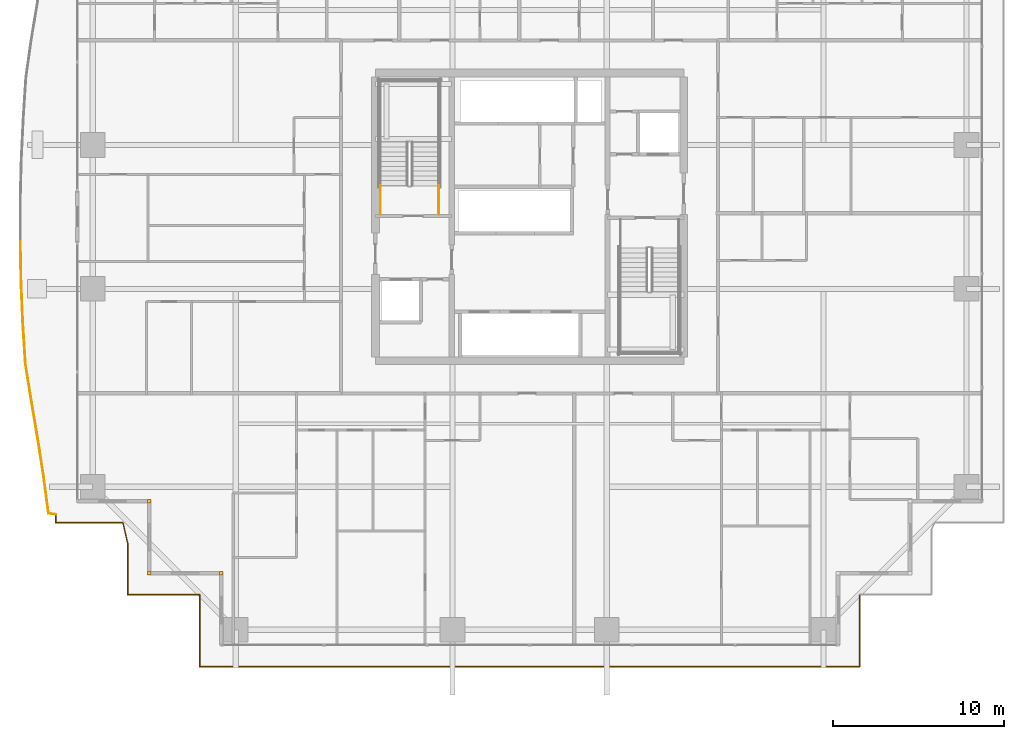
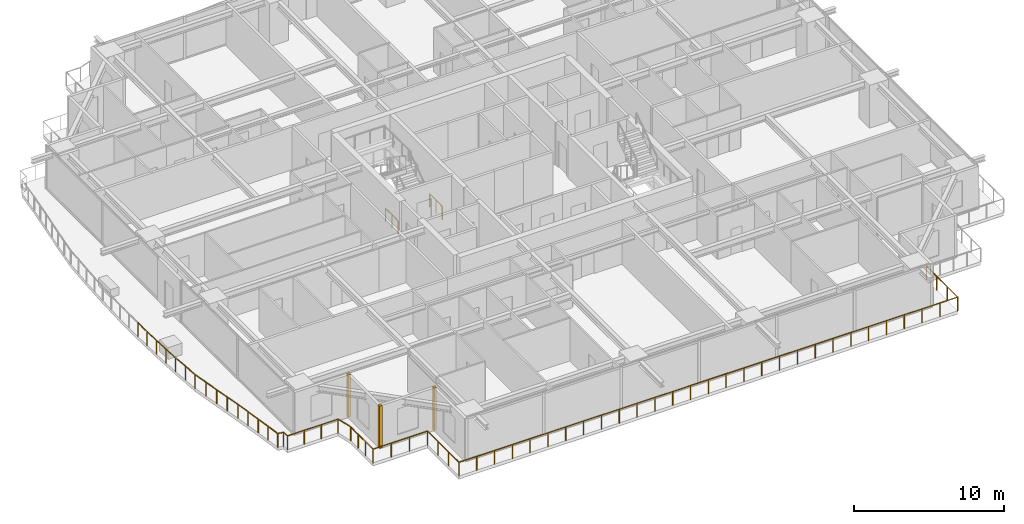
# One storey, part 29 of 34: 4 railings, 3 coverings.
"""IFC4 building model written with IfcOpenShell, lengths in metres."""

from ifc_helpers import new_model, si_unit, direction, frame, origin, origin_2d, place, context, subcontext, project, spatial, rectangle, circle, extrude, source, transform, mapped, material, layer, layer_set, type_object, element, save


model = new_model("IFC4")

# Units and contexts
model_context = context("Model", 3, precision=1e-05, world=origin(), true_north=direction((0.0, 1.0)))
body_context = subcontext(model_context, "Body", "Model", "MODEL_VIEW")
ifc_project = project(units=[si_unit("LENGTHUNIT", "METRE"), si_unit("AREAUNIT", "SQUARE_METRE"), si_unit("VOLUMEUNIT", "CUBIC_METRE"), si_unit("PLANEANGLEUNIT", "RADIAN"), si_unit("MASSUNIT", "GRAM", prefix="KILO")], contexts=[model_context])

# Site, building, storey
site_placement = place(None, origin())
site = spatial("IfcSite", under=ifc_project, at=site_placement, CompositionType="ELEMENT")
building_placement = place(site_placement, origin())
building = spatial("IfcBuilding", under=site, at=building_placement, Name="Serunith Strait Residences", CompositionType="ELEMENT")
storey_placement = place(building_placement, frame((0.0, 0.0, 101.699951171875)))
storey = spatial("IfcBuildingStorey", under=building, at=storey_placement, Name="L25", CompositionType="ELEMENT", Elevation=101.699951171875)

# Railings
ifc_material_1 = material(Name="Stainless Steel & Laminated Glass Balustrade", Category="steel")
railing_type_1 = type_object("IfcRailingType", Name="RLG-BALC-1150", PredefinedType="BALUSTRADE", material=ifc_material_1)
railing_1_placement = place(storey_placement, frame((4.739990234375, 7.83251953125, -0.050048828125)))
element("IfcRailing", 1, at=railing_1_placement, inside=storey, type_object=railing_type_1, Name="L25 Swirling Balcony Perimeter Balustrade 1", PredefinedType="BALUSTRADE", context=body_context, shape_type="SweptSolid", body=[
    extrude(circle(Radius=0.02392578125, at=origin_2d()), frame((-0.001953125, 0.000244140625, 1.1259765625), z_axis=(-0.987447825196, 0.157945536546, 0.0), x_axis=(-0.157945536546, -0.987447825196, 0.0)), (0.0, 0.0, 1.0), 0.41943359375),
    extrude(circle(Radius=0.02392578125, at=origin_2d()), frame((-0.41845703125, 0.06884765625, 1.1259765625), z_axis=(-0.130837096908, 0.9914038804, 0.0), x_axis=(-0.9914038804, -0.130837096908, 0.0)), (0.0, 0.0, 1.0), 2.141845703125),
    extrude(circle(Radius=0.02392578125, at=origin_2d()), frame((-0.69921875, 2.1962890625, 1.1259765625), z_axis=(-0.15215836811, 0.988356125601, 0.0), x_axis=(-0.988356125601, -0.15215836811, 0.0)), (0.0, 0.0, 1.0), 2.171630859375),
    extrude(circle(Radius=0.02392578125, at=origin_2d()), frame((-1.0302734375, 4.3466796875, 1.1259765625), z_axis=(-0.166217041116, 0.986089192336, 0.0), x_axis=(-0.986089192336, -0.166217041116, 0.0)), (0.0, 0.0, 1.0), 2.216796875),
    extrude(circle(Radius=0.02392578125, at=origin_2d()), frame((-1.3994140625, 6.53662109375, 1.1259765625), z_axis=(-0.159414201372, 0.987211787005, 0.0), x_axis=(-0.987211787005, -0.159414201372, 0.0)), (0.0, 0.0, 1.0), 2.2763671875),
    extrude(circle(Radius=0.02392578125, at=origin_2d()), frame((-1.762939453125, 8.787841796875, 1.1259765625), z_axis=(-0.063408626491, 0.997987648264, 0.0), x_axis=(-0.997987648264, -0.063408626491, 0.0)), (0.0, 0.0, 1.0), 2.356201171875),
    extrude(circle(Radius=0.02392578125, at=origin_2d()), frame((-1.912353515625, 11.143310546875, 1.1259765625), z_axis=(-0.043969716649, 0.999032864333, 0.0), x_axis=(-0.999032864333, -0.043969716649, 0.0)), (0.0, 0.0, 1.0), 2.383544921875),
    extrude(circle(Radius=0.02392578125, at=origin_2d()), frame((-2.017333984375, 13.528564453125, 1.1259765625), z_axis=(-0.01776008917, 0.999842277178, 0.0), x_axis=(-0.999842277178, -0.01776008917, 0.0)), (0.0, 0.0, 1.0), 2.401611328125),
    extrude(circle(Radius=0.02099609375, at=origin_2d()), origin(), (0.0, 0.0, 1.0), 1.099853515625),
    extrude(circle(Radius=0.02099609375, at=origin_2d()), frame((-0.418212890625, 0.06689453125, 0.0)), (0.0, 0.0, 1.0), 1.099853515625),
    extrude(circle(Radius=0.02099609375, at=origin_2d()), frame((-0.55859375, 1.130615234375, 0.0)), (0.0, 0.0, 1.0), 1.099853515625),
    extrude(circle(Radius=0.02099609375, at=origin_2d()), frame((-0.698974609375, 2.1943359375, 0.0)), (0.0, 0.0, 1.0), 1.099853515625),
    extrude(circle(Radius=0.02099609375, at=origin_2d()), frame((-0.864501953125, 3.26953125, 0.0)), (0.0, 0.0, 1.0), 1.099853515625),
    extrude(circle(Radius=0.02099609375, at=origin_2d()), frame((-1.030029296875, 4.3447265625, 0.0)), (0.0, 0.0, 1.0), 1.099853515625),
    extrude(circle(Radius=0.02099609375, at=origin_2d()), frame((-1.214599609375, 5.439697265625, 0.0)), (0.0, 0.0, 1.0), 1.099853515625),
    extrude(circle(Radius=0.02099609375, at=origin_2d()), frame((-1.399169921875, 6.53466796875, 0.0)), (0.0, 0.0, 1.0), 1.099853515625),
    extrude(circle(Radius=0.02099609375, at=origin_2d()), frame((-1.5810546875, 7.66015625, 0.0)), (0.0, 0.0, 1.0), 1.099853515625),
    extrude(circle(Radius=0.02099609375, at=origin_2d()), frame((-1.7626953125, 8.785888671875, 0.0)), (0.0, 0.0, 1.0), 1.099853515625),
    extrude(circle(Radius=0.02099609375, at=origin_2d()), frame((-1.83740234375, 9.963623046875, 0.0)), (0.0, 0.0, 1.0), 1.099853515625),
    extrude(circle(Radius=0.02099609375, at=origin_2d()), frame((-1.912353515625, 11.141357421875, 0.0)), (0.0, 0.0, 1.0), 1.099853515625),
    extrude(circle(Radius=0.02099609375, at=origin_2d()), frame((-1.96484375, 12.333984375, 0.0)), (0.0, 0.0, 1.0), 1.099853515625),
    extrude(circle(Radius=0.02099609375, at=origin_2d()), frame((-2.017333984375, 13.526611328125, 0.0)), (0.0, 0.0, 1.0), 1.099853515625),
    extrude(circle(Radius=0.02099609375, at=origin_2d()), frame((-2.03857421875, 14.729248046875, 0.0)), (0.0, 0.0, 1.0), 1.099853515625),
    extrude(circle(Radius=0.02099609375, at=origin_2d()), frame((-2.06005859375, 15.931884765625, 0.0)), (0.0, 0.0, 1.0), 1.099853515625),
])
railing_2_placement = place(storey_placement, frame((51.659912109375, 3.139892578125, -0.050048828125)))
element("IfcRailing", 2, at=railing_2_placement, inside=storey, type_object=railing_type_1, Name="L25 Swirling Balcony Perimeter Balustrade 8", PredefinedType="BALUSTRADE", context=body_context, shape_type="SweptSolid", body=[
    extrude(circle(Radius=0.02392578125, at=origin_2d()), frame((0.0, -0.001953125, 1.1259765625), z_axis=(0.0, -1.0, 0.0), x_axis=(1.0, 0.0, 0.0)), (0.0, 0.0, 1.0), 4.196044921875),
    extrude(circle(Radius=0.02392578125, at=origin_2d()), frame((-0.001953125, -4.199951171875, 1.1259765625), z_axis=(-1.0, 0.0, 0.0), x_axis=(0.0, -1.0, 0.0)), (0.0, 0.0, 1.0), 38.51611328125),
    extrude(circle(Radius=0.02392578125, at=origin_2d()), frame((-38.52001953125, -4.197998046875, 1.1259765625), z_axis=(0.0, 1.0, 0.0), x_axis=(-1.0, 0.0, 0.0)), (0.0, 0.0, 1.0), 4.196044921875),
    extrude(circle(Radius=0.02392578125, at=origin_2d()), frame((-38.52197265625, 0.0, 1.1259765625), z_axis=(-1.0, 0.0, 0.0), x_axis=(0.0, -1.0, 0.0)), (0.0, 0.0, 1.0), 4.196044921875),
    extrude(circle(Radius=0.02392578125, at=origin_2d()), frame((-42.719970703125, 0.001953125, 1.1259765625), z_axis=(0.0, 1.0, 0.0), x_axis=(-1.0, 0.0, 0.0)), (0.0, 0.0, 1.0), 2.98779296875),
    extrude(circle(Radius=0.02392578125, at=origin_2d()), frame((-42.720458984375, 2.99365234375, 1.1259765625), z_axis=(-0.225175752935, 0.974318161737, 0.0), x_axis=(-0.974318161737, -0.225175752935, 0.0)), (0.0, 0.0, 1.0), 1.236328125),
    extrude(circle(Radius=0.02392578125, at=origin_2d()), frame((-43.001220703125, 4.2001953125, 1.1259765625), z_axis=(-1.0, 0.0, 0.0), x_axis=(0.0, -1.0, 0.0)), (0.0, 0.0, 1.0), 3.916748046875),
    extrude(circle(Radius=0.02392578125, at=origin_2d()), frame((-46.919921875, 4.2021484375, 1.1259765625), z_axis=(0.0, 1.0, 0.0), x_axis=(-1.0, 0.0, 0.0)), (0.0, 0.0, 1.0), 0.488525390625),
    extrude(circle(Radius=0.02099609375, at=origin_2d()), origin(), (0.0, 0.0, 1.0), 1.099853515625),
    extrude(circle(Radius=0.02099609375, at=origin_2d()), frame((0.0, -1.39990234375, 0.0)), (0.0, 0.0, 1.0), 1.099853515625),
    extrude(circle(Radius=0.02099609375, at=origin_2d()), frame((0.0, -2.800048828125, 0.0)), (0.0, 0.0, 1.0), 1.099853515625),
    extrude(circle(Radius=0.02099609375, at=origin_2d()), frame((0.0, -4.199951171875, 0.0)), (0.0, 0.0, 1.0), 1.099853515625),
    extrude(circle(Radius=0.02099609375, at=origin_2d()), frame((-1.375732421875, -4.199951171875, 0.0)), (0.0, 0.0, 1.0), 1.099853515625),
    extrude(circle(Radius=0.02099609375, at=origin_2d()), frame((-2.75146484375, -4.199951171875, 0.0)), (0.0, 0.0, 1.0), 1.099853515625),
    extrude(circle(Radius=0.02099609375, at=origin_2d()), frame((-4.127197265625, -4.199951171875, 0.0)), (0.0, 0.0, 1.0), 1.099853515625),
    extrude(circle(Radius=0.02099609375, at=origin_2d()), frame((-5.5029296875, -4.199951171875, 0.0)), (0.0, 0.0, 1.0), 1.099853515625),
    extrude(circle(Radius=0.02099609375, at=origin_2d()), frame((-6.878662109375, -4.199951171875, 0.0)), (0.0, 0.0, 1.0), 1.099853515625),
    extrude(circle(Radius=0.02099609375, at=origin_2d()), frame((-8.25439453125, -4.199951171875, 0.0)), (0.0, 0.0, 1.0), 1.099853515625),
    extrude(circle(Radius=0.02099609375, at=origin_2d()), frame((-9.6298828125, -4.199951171875, 0.0)), (0.0, 0.0, 1.0), 1.099853515625),
    extrude(circle(Radius=0.02099609375, at=origin_2d()), frame((-11.005615234375, -4.199951171875, 0.0)), (0.0, 0.0, 1.0), 1.099853515625),
    extrude(circle(Radius=0.02099609375, at=origin_2d()), frame((-12.38134765625, -4.199951171875, 0.0)), (0.0, 0.0, 1.0), 1.099853515625),
    extrude(circle(Radius=0.02099609375, at=origin_2d()), frame((-13.757080078125, -4.199951171875, 0.0)), (0.0, 0.0, 1.0), 1.099853515625),
    extrude(circle(Radius=0.02099609375, at=origin_2d()), frame((-15.1328125, -4.199951171875, 0.0)), (0.0, 0.0, 1.0), 1.099853515625),
    extrude(circle(Radius=0.02099609375, at=origin_2d()), frame((-16.508544921875, -4.199951171875, 0.0)), (0.0, 0.0, 1.0), 1.099853515625),
    extrude(circle(Radius=0.02099609375, at=origin_2d()), frame((-17.88427734375, -4.199951171875, 0.0)), (0.0, 0.0, 1.0), 1.099853515625),
    extrude(circle(Radius=0.02099609375, at=origin_2d()), frame((-19.260009765625, -4.199951171875, 0.0)), (0.0, 0.0, 1.0), 1.099853515625),
    extrude(circle(Radius=0.02099609375, at=origin_2d()), frame((-20.6357421875, -4.199951171875, 0.0)), (0.0, 0.0, 1.0), 1.099853515625),
    extrude(circle(Radius=0.02099609375, at=origin_2d()), frame((-22.011474609375, -4.199951171875, 0.0)), (0.0, 0.0, 1.0), 1.099853515625),
    extrude(circle(Radius=0.02099609375, at=origin_2d()), frame((-23.38720703125, -4.199951171875, 0.0)), (0.0, 0.0, 1.0), 1.099853515625),
    extrude(circle(Radius=0.02099609375, at=origin_2d()), frame((-24.762939453125, -4.199951171875, 0.0)), (0.0, 0.0, 1.0), 1.099853515625),
    extrude(circle(Radius=0.02099609375, at=origin_2d()), frame((-26.138671875, -4.199951171875, 0.0)), (0.0, 0.0, 1.0), 1.099853515625),
    extrude(circle(Radius=0.02099609375, at=origin_2d()), frame((-27.514404296875, -4.199951171875, 0.0)), (0.0, 0.0, 1.0), 1.099853515625),
    extrude(circle(Radius=0.02099609375, at=origin_2d()), frame((-28.89013671875, -4.199951171875, 0.0)), (0.0, 0.0, 1.0), 1.099853515625),
    extrude(circle(Radius=0.02099609375, at=origin_2d()), frame((-30.265625, -4.199951171875, 0.0)), (0.0, 0.0, 1.0), 1.099853515625),
    extrude(circle(Radius=0.02099609375, at=origin_2d()), frame((-31.641357421875, -4.199951171875, 0.0)), (0.0, 0.0, 1.0), 1.099853515625),
    extrude(circle(Radius=0.02099609375, at=origin_2d()), frame((-33.01708984375, -4.199951171875, 0.0)), (0.0, 0.0, 1.0), 1.099853515625),
    extrude(circle(Radius=0.02099609375, at=origin_2d()), frame((-34.392822265625, -4.199951171875, 0.0)), (0.0, 0.0, 1.0), 1.099853515625),
    extrude(circle(Radius=0.02099609375, at=origin_2d()), frame((-35.7685546875, -4.199951171875, 0.0)), (0.0, 0.0, 1.0), 1.099853515625),
    extrude(circle(Radius=0.02099609375, at=origin_2d()), frame((-37.144287109375, -4.199951171875, 0.0)), (0.0, 0.0, 1.0), 1.099853515625),
    extrude(circle(Radius=0.02099609375, at=origin_2d()), frame((-38.52001953125, -4.199951171875, 0.0)), (0.0, 0.0, 1.0), 1.099853515625),
    extrude(circle(Radius=0.02099609375, at=origin_2d()), frame((-38.52001953125, -2.800048828125, 0.0)), (0.0, 0.0, 1.0), 1.099853515625),
    extrude(circle(Radius=0.02099609375, at=origin_2d()), frame((-38.52001953125, -1.39990234375, 0.0)), (0.0, 0.0, 1.0), 1.099853515625),
    extrude(circle(Radius=0.02099609375, at=origin_2d()), frame((-38.52001953125, 0.0, 0.0)), (0.0, 0.0, 1.0), 1.099853515625),
    extrude(circle(Radius=0.02099609375, at=origin_2d()), frame((-39.919921875, 0.0, 0.0)), (0.0, 0.0, 1.0), 1.099853515625),
    extrude(circle(Radius=0.02099609375, at=origin_2d()), frame((-41.320068359375, 0.0, 0.0)), (0.0, 0.0, 1.0), 1.099853515625),
    extrude(circle(Radius=0.02099609375, at=origin_2d()), frame((-42.719970703125, 0.0, 0.0)), (0.0, 0.0, 1.0), 1.099853515625),
    extrude(circle(Radius=0.02099609375, at=origin_2d()), frame((-42.719970703125, 0.997314453125, 0.0)), (0.0, 0.0, 1.0), 1.099853515625),
    extrude(circle(Radius=0.02099609375, at=origin_2d()), frame((-42.719970703125, 1.994384765625, 0.0)), (0.0, 0.0, 1.0), 1.099853515625),
    extrude(circle(Radius=0.02099609375, at=origin_2d()), frame((-42.719970703125, 2.99169921875, 0.0)), (0.0, 0.0, 1.0), 1.099853515625),
    extrude(circle(Radius=0.02099609375, at=origin_2d()), frame((-42.999267578125, 4.2001953125, 0.0)), (0.0, 0.0, 1.0), 1.099853515625),
    extrude(circle(Radius=0.02099609375, at=origin_2d()), frame((-44.30615234375, 4.2001953125, 0.0)), (0.0, 0.0, 1.0), 1.099853515625),
    extrude(circle(Radius=0.02099609375, at=origin_2d()), frame((-45.613037109375, 4.2001953125, 0.0)), (0.0, 0.0, 1.0), 1.099853515625),
    extrude(circle(Radius=0.02099609375, at=origin_2d()), frame((-46.919921875, 4.2001953125, 0.0)), (0.0, 0.0, 1.0), 1.099853515625),
    extrude(circle(Radius=0.02099609375, at=origin_2d()), frame((-46.919921875, 4.692626953125, 0.0)), (0.0, 0.0, 1.0), 1.099853515625),
])
ifc_material_2 = material(Name="Brushed stainless steel 316L", Category="steel")
railing_type_2 = type_object("IfcRailingType", Name="RLG-STAIR-GUARD", PredefinedType="BALUSTRADE", material=ifc_material_2)
for number, where, name in (
    (3, (27.10009765625, 25.35009765625, 0.0), "L25 ST-1 stair guard 8"),
    (4, (23.699951171875, 25.35009765625, 0.0), "L25 ST-1 stair guard 9"),
):
    element("IfcRailing", number, at=place(storey_placement, frame(where)), inside=storey, type_object=railing_type_2, Name=name, PredefinedType="BALUSTRADE", context=body_context, shape_type="SweptSolid", body=[
        extrude(circle(Radius=0.02392578125, at=origin_2d()), frame((0.0, 0.001953125, 1.076171875), z_axis=(0.0, 1.0, 0.0), x_axis=(-1.0, 0.0, 0.0)), (0.0, 0.0, 1.0), 1.676025390625),
        extrude(circle(Radius=0.02099609375, at=origin_2d()), origin(), (0.0, 0.0, 1.0), 1.050048828125),
        extrude(circle(Radius=0.02099609375, at=origin_2d()), frame((0.0, 0.83984375, 0.0)), (0.0, 0.0, 1.0), 1.050048828125),
        extrude(circle(Radius=0.02099609375, at=origin_2d()), frame((0.0, 1.679931640625, 0.0)), (0.0, 0.0, 1.0), 1.050048828125),
    ])

# Coverings
ifc_material_3 = material(Name="Pale-Champagne Anodised Aluminium", Category="aluminium")
ifc_layer = layer(ifc_material_3, 0.219970703125, Name="Pale-Champagne Anodised Aluminium")
ifc_layer_set = layer_set([ifc_layer], Name="Pale-Champagne Anodised Aluminium")
covering_type = type_object("IfcCoveringType", Name="COV-CORN-TRIM", PredefinedType="CLADDING", material=ifc_layer_set)
shared_shape = source(origin(), body_context, "Body", "SweptSolid", [
    extrude(rectangle(XDim=0.221923828125, YDim=0.221923828125, at=origin_2d()), origin(), (0.0, 0.0, 1.0), 3.47509765625),
])
for number, where, z_axis, x_axis, name in (
    (5, (10.199951171875, 8.60009765625, 0.0), (0.0, 0.0, 1.0), (1.0, 0.0, 0.0), "L25 Girih Serrated Corner Trim Post 17"),
    (6, (10.199951171875, 4.39990234375, 0.0), (0.0, 0.0, 1.0), (1.0, 0.0, 0.0), "L25 Girih Serrated Corner Trim Post 18"),
    (7, (14.39990234375, 4.39990234375, 0.0), (0.0, 0.0, 1.0), (1.0, 0.0, 0.0), "L25 Girih Serrated Corner Trim Post 19"),
):
    element("IfcCovering", number, at=place(storey_placement, frame(where, z_axis=z_axis, x_axis=x_axis)), inside=storey, type_object=covering_type, Name=name, PredefinedType="CLADDING", context=body_context, shape_type="MappedRepresentation", body=[
        mapped(shared_shape, transform((0.0, 0.0, 0.0), scale=1.0)),
    ])

save(model, "model.ifc")
